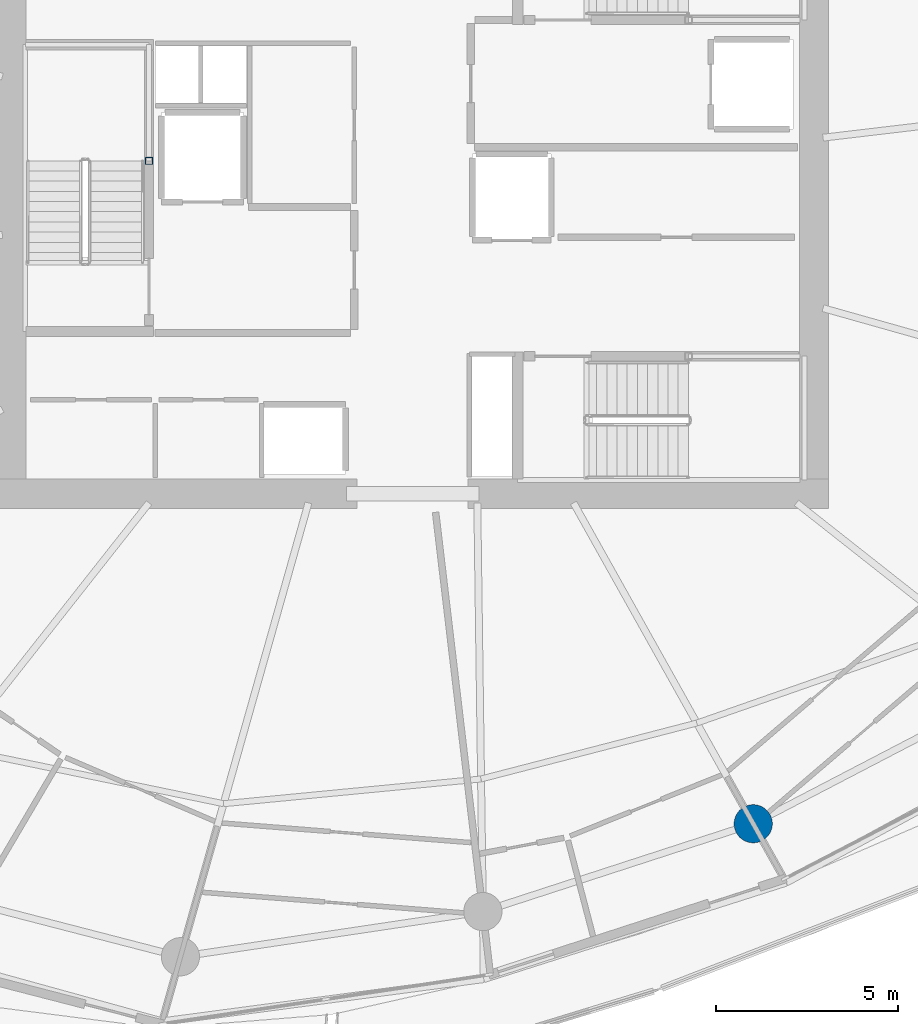
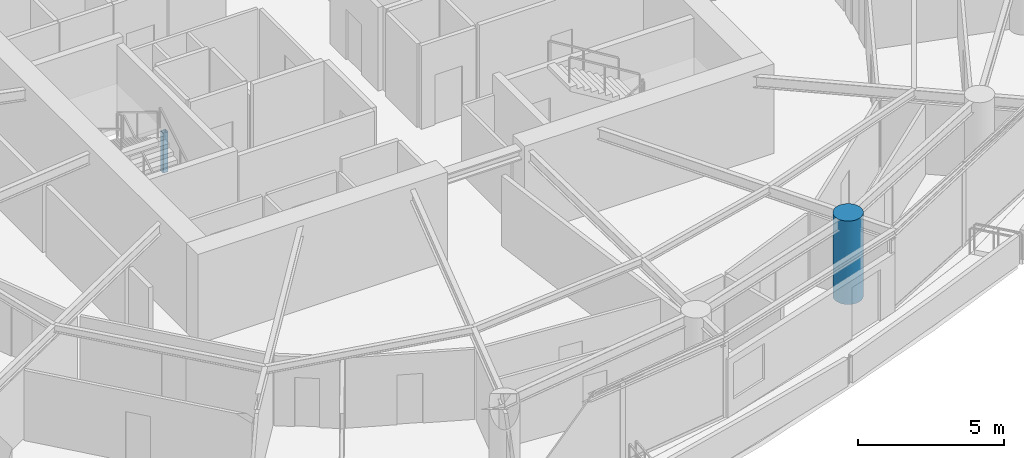
# One storey, part 2 of 20: 2 columns.
"""IFC4 building model written with IfcOpenShell, lengths in metres."""

from ifc_helpers import new_model, si_unit, direction, frame, origin, origin_2d, place, context, subcontext, project, spatial, hollow_rectangle, circle, extrude, material, material_profile, profile_set, type_object, element, save


model = new_model("IFC4")

# Units and contexts
model_context = context("Model", 3, precision=1e-05, world=origin(), true_north=direction((0.0, 1.0)))
body_context = subcontext(model_context, "Body", "Model", "MODEL_VIEW")
ifc_project = project(units=[si_unit("LENGTHUNIT", "METRE"), si_unit("AREAUNIT", "SQUARE_METRE"), si_unit("VOLUMEUNIT", "CUBIC_METRE"), si_unit("PLANEANGLEUNIT", "RADIAN"), si_unit("MASSUNIT", "GRAM", prefix="KILO")], contexts=[model_context])

# Site, building, storey
site_placement = place(None, origin())
site = spatial("IfcSite", under=ifc_project, at=site_placement, CompositionType="ELEMENT")
building_placement = place(site_placement, origin())
building = spatial("IfcBuilding", under=site, at=building_placement, Name="Kazma Halo Residences", CompositionType="ELEMENT")
storey_placement = place(building_placement, frame((0.0, 0.0, 150.300048828125)))
storey = spatial("IfcBuildingStorey", under=building, at=storey_placement, Name="L37", CompositionType="ELEMENT", Elevation=150.300048828125)

# Columns
ifc_material_1 = material(Name="Steel S355", Category="steel")
ifc_material_profile_1 = material_profile(ifc_material_1, hollow_rectangle(XDim=0.199951171875, YDim=0.199951171875, WallThickness=0.010009765625, InnerFilletRadius=0.010009765625, OuterFilletRadius=0.02001953125, at=origin_2d()), Name="SHS200x200x10")
ifc_profile_set_1 = profile_set([ifc_material_profile_1], Name="Steel S355")
column_type_1 = type_object("IfcColumnType", Name="COL-LP-SHS200", PredefinedType="COLUMN", material=ifc_profile_set_1)
column_1_placement = place(storey_placement, frame((41.179931640625, 42.75, 0.0), z_axis=(0.0, 0.0, 1.0), x_axis=(1.0, 0.0, 0.0)))
element("IfcColumn", 1, at=column_1_placement, inside=storey, type_object=column_type_1, Name="L37 ST-01 landing pilaster 1", PredefinedType="COLUMN", context=body_context, shape_type="SweptSolid", body=[
    extrude(hollow_rectangle(XDim=0.199951171875, YDim=0.199951171875, WallThickness=0.010009765625, InnerFilletRadius=0.010009765625, OuterFilletRadius=0.02001953125, at=origin_2d()), origin(), (0.0, 0.0, 1.0), 1.669921875),
])
ifc_material_2 = material(Name="Concrete C80/95", Category="concrete")
ifc_material_profile_2 = material_profile(ifc_material_2, circle(Radius=0.52490234375, at=origin_2d()), Name="CIRC1050")
ifc_profile_set_2 = profile_set([ifc_material_profile_2], Name="Concrete C80/95")
column_type_2 = type_object("IfcColumnType", Name="COL-PERIM-1050", PredefinedType="COLUMN", material=ifc_profile_set_2)
column_2_placement = place(storey_placement, frame((57.781982421875, 24.53271484375, 0.0), z_axis=(0.0, 0.0, 1.0), x_axis=(1.0, 0.0, 0.0)))
element("IfcColumn", 2, at=column_2_placement, inside=storey, type_object=column_type_2, Name="L37 perimeter ring column P13", PredefinedType="COLUMN", context=body_context, shape_type="SweptSolid", body=[
    extrude(circle(Radius=0.52490234375, at=origin_2d()), origin(), (0.0, 0.0, 1.0), 3.5),
])

save(model, "model.ifc")
